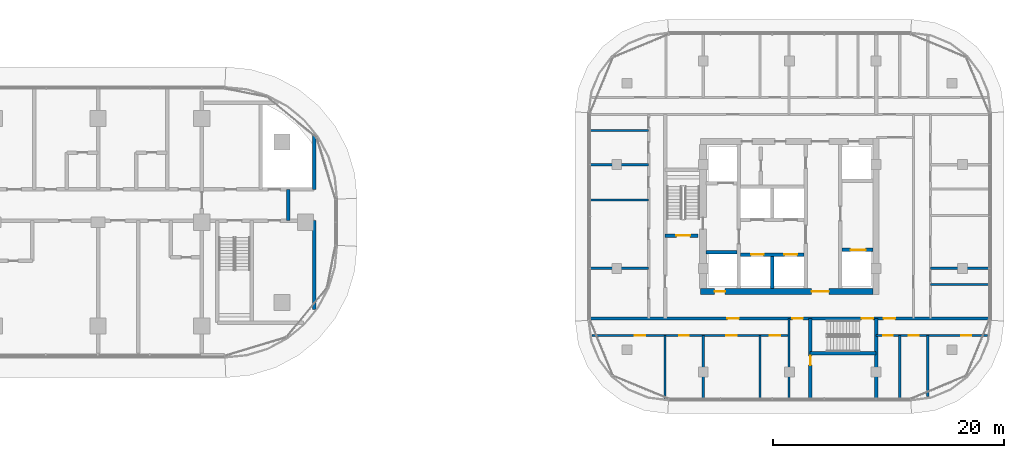
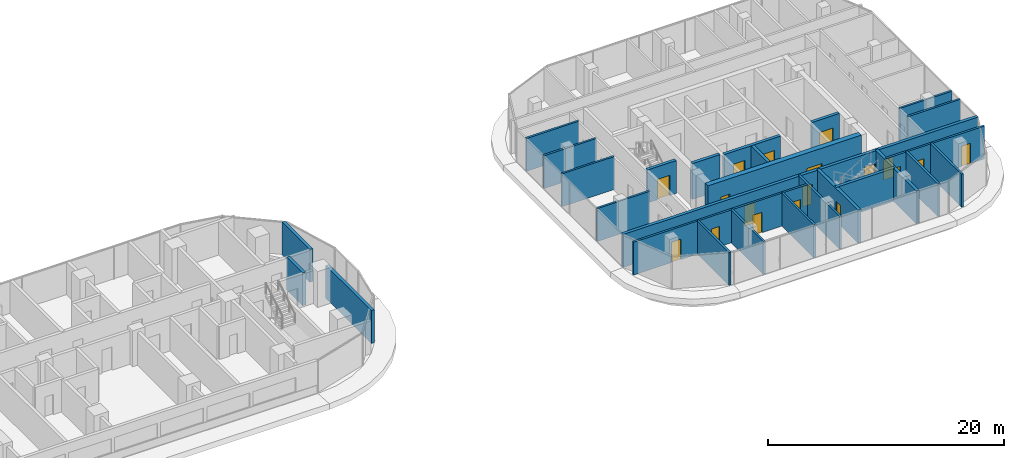
# One storey, part 22 of 36: 27 walls, 18 doors, 18 openings.
"""IFC4 building model written with IfcOpenShell, lengths in metres."""

from ifc_helpers import new_model, si_unit, direction, frame, frame_2d, origin, place, context, subcontext, project, spatial, rectangle, extrude, material, layer, layer_set, type_object, element, fill, save


model = new_model("IFC4")

# Units and contexts
model_context = context("Model", 3, precision=1e-05, world=origin(), true_north=direction((0.0, 1.0)))
body_context = subcontext(model_context, "Body", "Model", "MODEL_VIEW")
ifc_project = project(units=[si_unit("LENGTHUNIT", "METRE"), si_unit("AREAUNIT", "SQUARE_METRE"), si_unit("VOLUMEUNIT", "CUBIC_METRE"), si_unit("PLANEANGLEUNIT", "RADIAN"), si_unit("MASSUNIT", "GRAM", prefix="KILO")], contexts=[model_context])

# Site, building, storey
site_placement = place(None, origin())
site = spatial("IfcSite", under=ifc_project, at=site_placement, CompositionType="ELEMENT")
building_placement = place(site_placement, origin())
building = spatial("IfcBuilding", under=site, at=building_placement, Name="Ogive Portal Towers", CompositionType="ELEMENT")
storey_placement = place(building_placement, frame((0.0, 0.0, 63.10009765625)))
storey = spatial("IfcBuildingStorey", under=building, at=storey_placement, Name="L14", CompositionType="ELEMENT", Elevation=63.10009765625)

# Wall
ifc_material_1 = material(Name="Concrete C60/75", Category="concrete")
ifc_layer_1 = layer(ifc_material_1, 0.300048828125)
ifc_layer_set_1 = layer_set([ifc_layer_1], Name="CORE WALL 300 C60")
wall_type_1 = type_object("IfcWallType", Name="CORE WALL 300 C60", PredefinedType="SHEAR", material=ifc_layer_set_1)
wall_1_placement = place(storey_placement, frame((135.0, 24.75, 0.0), z_axis=(0.0, 0.0, 1.0), x_axis=(0.0, 1.0, 0.0)))
element("IfcWall", 1, at=wall_1_placement, inside=storey, type_object=wall_type_1, Name="Tower B core wall BX4 L14", PredefinedType="SHEAR", context=body_context, shape_type="SweptSolid", body=[
    extrude(rectangle(XDim=2.800048828125, YDim=0.300048828125, at=frame_2d((1.39990234375, 0.0))), origin(), (0.0, 0.0, 1.0), 3.699951171875),
])

# Wall, openings, doors
wall_2_placement = place(storey_placement, frame((132.25, 27.699951171875, 0.0), z_axis=(0.0, 0.0, 1.0), x_axis=(1.0, 0.0, 0.0)))
wall_2 = element("IfcWall", 2, at=wall_2_placement, inside=storey, type_object=wall_type_1, Name="Tower B core wall BY1 L14", PredefinedType="SHEAR", context=body_context, shape_type="SweptSolid", body=[
    extrude(rectangle(XDim=5.5, YDim=0.300048828125, at=frame_2d((2.75, 0.0))), origin(), (0.0, 0.0, 1.0), 3.699951171875),
])
opening_1_placement = place(wall_2_placement, frame((0.89990234375, 0.0, 0.0)))
opening_1 = element("IfcOpeningElement", 3, at=opening_1_placement, cuts=wall_2, Name="Opening B04-050", PredefinedType="OPENING", context=body_context, shape_type="SweptSolid", body=[
    extrude(rectangle(XDim=1.10009765625, YDim=2.39990234375, at=frame_2d((0.550048828125, 1.199951171875))), frame((0.0, 0.16015625, 0.0), z_axis=(0.0, -1.0, 0.0), x_axis=(1.0, 0.0, 0.0)), (0.0, 0.0, 1.0), 0.320068359375),
])
opening_2_placement = place(wall_2_placement, frame((3.800048828125, 0.0, 0.0)))
opening_2 = element("IfcOpeningElement", 4, at=opening_2_placement, cuts=wall_2, Name="Opening B04-051", PredefinedType="OPENING", context=body_context, shape_type="SweptSolid", body=[
    extrude(rectangle(XDim=1.10009765625, YDim=2.39990234375, at=frame_2d((0.550048828125, 1.199951171875))), frame((0.0, 0.16015625, 0.0), z_axis=(0.0, -1.0, 0.0), x_axis=(1.0, 0.0, 0.0)), (0.0, 0.0, 1.0), 0.320068359375),
])
ifc_material_2 = material(Name="Stainless steel", Category="steel")
door_type_1 = type_object("IfcDoorType", Name="DT-LD-1100x2400", OperationType="SLIDING_TO_LEFT", PredefinedType="DOOR", material=ifc_material_2)
door_1_placement = place(opening_1_placement, origin())
door_1 = element("IfcDoor", 5, at=door_1_placement, inside=storey, type_object=door_type_1, Name="Door B04-050", OperationType="SLIDING_TO_LEFT", OverallHeight=2.39990234375, OverallWidth=1.10009765625, PredefinedType="DOOR", context=body_context, shape_type="SweptSolid", body=[
    extrude(rectangle(XDim=1.10009765625, YDim=2.39990234375, at=frame_2d((0.550048828125, 1.199951171875))), frame((0.0, 0.02490234375, 0.0), z_axis=(0.0, -1.0, 0.0), x_axis=(1.0, 0.0, 0.0)), (0.0, 0.0, 1.0), 0.050048828125),
])
fill(opening_1, door_1)
door_2_placement = place(opening_2_placement, origin())
door_2 = element("IfcDoor", 6, at=door_2_placement, inside=storey, type_object=door_type_1, Name="Door B04-051", OperationType="SLIDING_TO_LEFT", OverallHeight=2.39990234375, OverallWidth=1.10009765625, PredefinedType="DOOR", context=body_context, shape_type="SweptSolid", body=[
    extrude(rectangle(XDim=1.10009765625, YDim=2.39990234375, at=frame_2d((0.550048828125, 1.199951171875))), frame((0.0, 0.02490234375, 0.0), z_axis=(0.0, -1.0, 0.0), x_axis=(1.0, 0.0, 0.0)), (0.0, 0.0, 1.0), 0.050048828125),
])
fill(opening_2, door_2)

# Wall
wall_3_placement = place(storey_placement, frame((129.25, 27.89990234375, 0.0), z_axis=(0.0, 0.0, 1.0), x_axis=(1.0, 0.0, 0.0)))
element("IfcWall", 7, at=wall_3_placement, inside=storey, type_object=wall_type_1, Name="Tower B core wall BY4 L14", PredefinedType="SHEAR", context=body_context, shape_type="SweptSolid", body=[
    extrude(rectangle(XDim=2.699951171875, YDim=0.300048828125, at=frame_2d((1.35009765625, 0.0))), origin(), (0.0, 0.0, 1.0), 3.699951171875),
])

# Wall, opening, door
wall_4_placement = place(storey_placement, frame((141.050048828125, 28.10009765625, 0.0), z_axis=(0.0, 0.0, 1.0), x_axis=(1.0, 0.0, 0.0)))
wall_4 = element("IfcWall", 8, at=wall_4_placement, inside=storey, type_object=wall_type_1, Name="Tower B core wall BY6 L14", PredefinedType="SHEAR", context=body_context, shape_type="SweptSolid", body=[
    extrude(rectangle(XDim=2.699951171875, YDim=0.300048828125, at=frame_2d((1.35009765625, 0.0))), origin(), (0.0, 0.0, 1.0), 3.699951171875),
])
opening_3_placement = place(wall_4_placement, frame((0.75, 0.0, 0.0)))
opening_3 = element("IfcOpeningElement", 9, at=opening_3_placement, cuts=wall_4, Name="Opening B04-055", PredefinedType="OPENING", context=body_context, shape_type="SweptSolid", body=[
    extrude(rectangle(XDim=1.300048828125, YDim=2.39990234375, at=frame_2d((0.64990234375, 1.199951171875))), frame((0.0, 0.16015625, 0.0), z_axis=(0.0, -1.0, 0.0), x_axis=(1.0, 0.0, 0.0)), (0.0, 0.0, 1.0), 0.320068359375),
])
door_type_2 = type_object("IfcDoorType", Name="DT-LD-1300x2400", OperationType="SLIDING_TO_LEFT", PredefinedType="DOOR", material=ifc_material_2)
door_3_placement = place(opening_3_placement, origin())
door_3 = element("IfcDoor", 10, at=door_3_placement, inside=storey, type_object=door_type_2, Name="Door B04-055", OperationType="SLIDING_TO_LEFT", OverallHeight=2.39990234375, OverallWidth=1.300048828125, PredefinedType="DOOR", context=body_context, shape_type="SweptSolid", body=[
    extrude(rectangle(XDim=1.300048828125, YDim=2.39990234375, at=frame_2d((0.64990234375, 1.199951171875))), frame((0.0, 0.02490234375, 0.0), z_axis=(0.0, -1.0, 0.0), x_axis=(1.0, 0.0, 0.0)), (0.0, 0.0, 1.0), 0.050048828125),
])
fill(opening_3, door_3)

# Wall, openings, doors
ifc_layer_2 = layer(ifc_material_1, 0.5)
ifc_layer_set_2 = layer_set([ifc_layer_2], Name="CORE WALL 500 C60")
wall_type_2 = type_object("IfcWallType", Name="CORE WALL 500 C60", PredefinedType="SHEAR", material=ifc_layer_set_2)
wall_5_placement = place(storey_placement, frame((128.75, 24.5, 0.0), z_axis=(0.0, 0.0, 1.0), x_axis=(1.0, 0.0, 0.0)))
wall_5 = element("IfcWall", 11, at=wall_5_placement, inside=storey, type_object=wall_type_2, Name="Tower B core wall BS L14", PredefinedType="SHEAR", context=body_context, shape_type="SweptSolid", body=[
    extrude(rectangle(XDim=15.0, YDim=0.5, at=frame_2d((7.5, 0.0))), origin(), (0.0, 0.0, 1.0), 3.699951171875),
])
opening_4_placement = place(wall_5_placement, frame((9.64990234375, 0.0, 0.0)))
opening_4 = element("IfcOpeningElement", 12, at=opening_4_placement, cuts=wall_5, Name="Opening B04-046", PredefinedType="OPENING", context=body_context, shape_type="SweptSolid", body=[
    extrude(rectangle(XDim=1.5, YDim=2.10009765625, at=frame_2d((0.75, 1.050048828125))), frame((0.0, 0.260009765625, 0.0), z_axis=(0.0, -1.0, 0.0), x_axis=(1.0, 0.0, 0.0)), (0.0, 0.0, 1.0), 0.52001953125),
])
opening_5_placement = place(wall_5_placement, frame((1.25, 0.0, 0.0)))
opening_5 = element("IfcOpeningElement", 13, at=opening_5_placement, cuts=wall_5, Name="Opening B04-048", PredefinedType="OPENING", context=body_context, shape_type="SweptSolid", body=[
    extrude(rectangle(XDim=0.89990234375, YDim=2.10009765625, at=frame_2d((0.449951171875, 1.050048828125))), frame((0.0, 0.260009765625, 0.0), z_axis=(0.0, -1.0, 0.0), x_axis=(1.0, 0.0, 0.0)), (0.0, 0.0, 1.0), 0.52001953125),
])
ifc_material_3 = material(Name="Steel fire door", Category="steel")
door_type_3 = type_object("IfcDoorType", Name="DT-SWING-1500x2100-FD90S", OperationType="SINGLE_SWING_LEFT", PredefinedType="DOOR", material=ifc_material_3)
door_4_placement = place(opening_4_placement, origin())
door_4 = element("IfcDoor", 14, at=door_4_placement, inside=storey, type_object=door_type_3, Name="Door B04-046", OperationType="SINGLE_SWING_LEFT", OverallHeight=2.10009765625, OverallWidth=1.5, PredefinedType="DOOR", context=body_context, shape_type="SweptSolid", body=[
    extrude(rectangle(XDim=1.5, YDim=2.10009765625, at=frame_2d((0.75, 1.050048828125))), frame((0.0, 0.02490234375, 0.0), z_axis=(0.0, -1.0, 0.0), x_axis=(1.0, 0.0, 0.0)), (0.0, 0.0, 1.0), 0.050048828125),
])
fill(opening_4, door_4)
door_type_4 = type_object("IfcDoorType", Name="DT-SWING-900x2100-FD90S", OperationType="SINGLE_SWING_LEFT", PredefinedType="DOOR", material=ifc_material_3)
door_5_placement = place(opening_5_placement, origin())
door_5 = element("IfcDoor", 15, at=door_5_placement, inside=storey, type_object=door_type_4, Name="Riser access door B04-048", OperationType="SINGLE_SWING_LEFT", OverallHeight=2.10009765625, OverallWidth=0.89990234375, PredefinedType="DOOR", context=body_context, shape_type="SweptSolid", body=[
    extrude(rectangle(XDim=0.89990234375, YDim=2.10009765625, at=frame_2d((0.449951171875, 1.050048828125))), frame((0.0, 0.02490234375, 0.0), z_axis=(0.0, -1.0, 0.0), x_axis=(1.0, 0.0, 0.0)), (0.0, 0.0, 1.0), 0.050048828125),
])
fill(opening_5, door_5)

# Wall
ifc_material_4 = material(Name="Concrete C50/60", Category="concrete")
ifc_layer_3 = layer(ifc_material_4, 0.300048828125)
ifc_layer_set_3 = layer_set([ifc_layer_3], Name="STAIR WALL 300 C50")
wall_type_3 = type_object("IfcWallType", Name="STAIR WALL 300 C50", PredefinedType="SHEAR", material=ifc_layer_set_3)
wall_6_placement = place(storey_placement, frame((138.25, 19.14990234375, 0.0), z_axis=(0.0, 0.0, 1.0), x_axis=(1.0, 0.0, 0.0)))
element("IfcWall", 16, at=wall_6_placement, inside=storey, type_object=wall_type_3, Name="Stair wall ST-B2 L14", PredefinedType="SHEAR", context=body_context, shape_type="SweptSolid", body=[
    extrude(rectangle(XDim=5.75, YDim=0.300048828125, at=frame_2d((2.875, 0.0))), origin(), (0.0, 0.0, 1.0), 3.39990234375),
])

# Wall, openings, doors
wall_7_placement = place(storey_placement, frame((119.169921875, 22.14990234375, 0.0), z_axis=(0.0, 0.0, 1.0), x_axis=(1.0, 0.0, 0.0)))
wall_7 = element("IfcWall", 17, at=wall_7_placement, inside=storey, type_object=wall_type_3, Name="Stair wall ST-B2 L14", PredefinedType="SHEAR", context=body_context, shape_type="SweptSolid", body=[
    extrude(rectangle(XDim=34.66015625, YDim=0.300048828125, at=frame_2d((17.330078125, 0.0))), origin(), (0.0, 0.0, 1.0), 3.39990234375),
])
opening_6_placement = place(wall_7_placement, frame((23.580078125, 0.0, 0.0)))
opening_6 = element("IfcOpeningElement", 18, at=opening_6_placement, cuts=wall_7, Name="Opening B04-003", PredefinedType="OPENING", context=body_context, shape_type="SweptSolid", body=[
    extrude(rectangle(XDim=1.0, YDim=2.10009765625, at=frame_2d((0.5, 1.050048828125))), frame((0.0, 0.16015625, 0.0), z_axis=(0.0, -1.0, 0.0), x_axis=(1.0, 0.0, 0.0)), (0.0, 0.0, 1.0), 0.320068359375),
])
opening_7_placement = place(wall_7_placement, frame((11.929931640625, 0.0, 0.0)))
opening_7 = element("IfcOpeningElement", 19, at=opening_7_placement, cuts=wall_7, Name="Opening B04-018", PredefinedType="OPENING", context=body_context, shape_type="SweptSolid", body=[
    extrude(rectangle(XDim=1.0, YDim=2.10009765625, at=frame_2d((0.5, 1.050048828125))), frame((0.0, 0.16015625, 0.0), z_axis=(0.0, -1.0, 0.0), x_axis=(1.0, 0.0, 0.0)), (0.0, 0.0, 1.0), 0.320068359375),
])
opening_8_placement = place(wall_7_placement, frame((25.47998046875, 0.0, 0.0)))
opening_8 = element("IfcOpeningElement", 20, at=opening_8_placement, cuts=wall_7, Name="Opening B04-023", PredefinedType="OPENING", context=body_context, shape_type="SweptSolid", body=[
    extrude(rectangle(XDim=1.0, YDim=2.10009765625, at=frame_2d((0.5, 1.050048828125))), frame((0.0, 0.16015625, 0.0), z_axis=(0.0, -1.0, 0.0), x_axis=(1.0, 0.0, 0.0)), (0.0, 0.0, 1.0), 0.320068359375),
])
opening_9_placement = place(wall_7_placement, frame((17.580078125, 0.0, 0.0)))
opening_9 = element("IfcOpeningElement", 21, at=opening_9_placement, cuts=wall_7, Name="Opening B04-027", PredefinedType="OPENING", context=body_context, shape_type="SweptSolid", body=[
    extrude(rectangle(XDim=0.89990234375, YDim=2.10009765625, at=frame_2d((0.449951171875, 1.050048828125))), frame((0.0, 0.16015625, 0.0), z_axis=(0.0, -1.0, 0.0), x_axis=(1.0, 0.0, 0.0)), (0.0, 0.0, 1.0), 0.320068359375),
])
door_type_5 = type_object("IfcDoorType", Name="DT-SWING-1000x2100-FD90S", OperationType="SINGLE_SWING_LEFT", PredefinedType="DOOR", material=ifc_material_3)
door_6_placement = place(opening_6_placement, origin())
door_6 = element("IfcDoor", 22, at=door_6_placement, inside=storey, type_object=door_type_5, Name="Door B04-003", OperationType="SINGLE_SWING_LEFT", OverallHeight=2.10009765625, OverallWidth=1.0, PredefinedType="DOOR", context=body_context, shape_type="SweptSolid", body=[
    extrude(rectangle(XDim=1.0, YDim=2.10009765625, at=frame_2d((0.5, 1.050048828125))), frame((0.0, 0.02490234375, 0.0), z_axis=(0.0, -1.0, 0.0), x_axis=(1.0, 0.0, 0.0)), (0.0, 0.0, 1.0), 0.050048828125),
])
fill(opening_6, door_6)
door_7_placement = place(opening_7_placement, origin())
door_7 = element("IfcDoor", 23, at=door_7_placement, inside=storey, type_object=door_type_5, Name="Door B04-018", OperationType="SINGLE_SWING_RIGHT", OverallHeight=2.10009765625, OverallWidth=1.0, PredefinedType="DOOR", context=body_context, shape_type="SweptSolid", body=[
    extrude(rectangle(XDim=1.0, YDim=2.10009765625, at=frame_2d((0.5, 1.050048828125))), frame((0.0, 0.02490234375, 0.0), z_axis=(0.0, -1.0, 0.0), x_axis=(1.0, 0.0, 0.0)), (0.0, 0.0, 1.0), 0.050048828125),
])
fill(opening_7, door_7)
door_8_placement = place(opening_8_placement, origin())
door_8 = element("IfcDoor", 24, at=door_8_placement, inside=storey, type_object=door_type_5, Name="Door B04-023", OperationType="SINGLE_SWING_LEFT", OverallHeight=2.10009765625, OverallWidth=1.0, PredefinedType="DOOR", context=body_context, shape_type="SweptSolid", body=[
    extrude(rectangle(XDim=1.0, YDim=2.10009765625, at=frame_2d((0.5, 1.050048828125))), frame((0.0, 0.02490234375, 0.0), z_axis=(0.0, -1.0, 0.0), x_axis=(1.0, 0.0, 0.0)), (0.0, 0.0, 1.0), 0.050048828125),
])
fill(opening_8, door_8)
door_9_placement = place(opening_9_placement, origin())
door_9 = element("IfcDoor", 25, at=door_9_placement, inside=storey, type_object=door_type_4, Name="Door B04-027", OperationType="SINGLE_SWING_LEFT", OverallHeight=2.10009765625, OverallWidth=0.89990234375, PredefinedType="DOOR", context=body_context, shape_type="SweptSolid", body=[
    extrude(rectangle(XDim=0.89990234375, YDim=2.10009765625, at=frame_2d((0.449951171875, 1.050048828125))), frame((0.0, 0.02490234375, 0.0), z_axis=(0.0, -1.0, 0.0), x_axis=(1.0, 0.0, 0.0)), (0.0, 0.0, 1.0), 0.050048828125),
])
fill(opening_9, door_9)

# Wall, opening, door
wall_8_placement = place(storey_placement, frame((125.699951171875, 29.35009765625, 0.0), z_axis=(0.0, 0.0, 1.0), x_axis=(1.0, 0.0, 0.0)))
wall_8 = element("IfcWall", 26, at=wall_8_placement, inside=storey, type_object=wall_type_3, Name="Stair wall ST-B1 L14", PredefinedType="SHEAR", context=body_context, shape_type="SweptSolid", body=[
    extrude(rectangle(XDim=2.830078125, YDim=0.300048828125, at=frame_2d((1.4150390625, 0.0))), origin(), (0.0, 0.0, 1.0), 3.39990234375),
])
opening_10_placement = place(wall_8_placement, frame((0.97509765625, 0.0, 0.0)))
opening_10 = element("IfcOpeningElement", 27, at=opening_10_placement, cuts=wall_8, Name="Opening B04-002", PredefinedType="OPENING", context=body_context, shape_type="SweptSolid", body=[
    extrude(rectangle(XDim=1.199951171875, YDim=2.10009765625, at=frame_2d((0.60009765625, 1.050048828125))), frame((0.0, 0.16015625, 0.0), z_axis=(0.0, -1.0, 0.0), x_axis=(1.0, 0.0, 0.0)), (0.0, 0.0, 1.0), 0.320068359375),
])
door_type_6 = type_object("IfcDoorType", Name="DT-SWING-1200x2100-FD90S", OperationType="SINGLE_SWING_LEFT", PredefinedType="DOOR", material=ifc_material_3)
door_10_placement = place(opening_10_placement, origin())
door_10 = element("IfcDoor", 28, at=door_10_placement, inside=storey, type_object=door_type_6, Name="Door B04-002", OperationType="SINGLE_SWING_RIGHT", OverallHeight=2.10009765625, OverallWidth=1.199951171875, PredefinedType="DOOR", context=body_context, shape_type="SweptSolid", body=[
    extrude(rectangle(XDim=1.199951171875, YDim=2.10009765625, at=frame_2d((0.60009765625, 1.050048828125))), frame((0.0, 0.02490234375, 0.0), z_axis=(0.0, -1.0, 0.0), x_axis=(1.0, 0.0, 0.0)), (0.0, 0.0, 1.0), 0.050048828125),
])
fill(opening_10, door_10)

wall_9_placement = place(storey_placement, frame((138.300048828125, 15.169921875, 0.0), z_axis=(0.0, 0.0, 1.0), x_axis=(0.0, 1.0, 0.0)))
wall_9 = element("IfcWall", 29, at=wall_9_placement, inside=storey, type_object=wall_type_3, Name="Stair wall ST-B2 L14", PredefinedType="SHEAR", context=body_context, shape_type="SweptSolid", body=[
    extrude(rectangle(XDim=6.97998046875, YDim=0.300048828125, at=frame_2d((3.489990234375, 0.0))), origin(), (0.0, 0.0, 1.0), 3.39990234375),
])
opening_11_placement = place(wall_9_placement, frame((2.929931640625, 0.0, 0.0)))
opening_11 = element("IfcOpeningElement", 30, at=opening_11_placement, cuts=wall_9, Name="Opening B04-028", PredefinedType="OPENING", context=body_context, shape_type="SweptSolid", body=[
    extrude(rectangle(XDim=0.800048828125, YDim=2.10009765625, at=frame_2d((0.39990234375, 1.050048828125))), frame((0.0, 0.16015625, 0.0), z_axis=(0.0, -1.0, 0.0), x_axis=(1.0, 0.0, 0.0)), (0.0, 0.0, 1.0), 0.320068359375),
])
door_type_7 = type_object("IfcDoorType", Name="DT-SWING-800x2100-FD90S", OperationType="SINGLE_SWING_LEFT", PredefinedType="DOOR", material=ifc_material_3)
door_11_placement = place(opening_11_placement, origin())
door_11 = element("IfcDoor", 31, at=door_11_placement, inside=storey, type_object=door_type_7, Name="Door B04-028", OperationType="SINGLE_SWING_RIGHT", OverallHeight=2.10009765625, OverallWidth=0.800048828125, PredefinedType="DOOR", context=body_context, shape_type="SweptSolid", body=[
    extrude(rectangle(XDim=0.800048828125, YDim=2.10009765625, at=frame_2d((0.39990234375, 1.050048828125))), frame((0.0, 0.02490234375, 0.0), z_axis=(0.0, -1.0, 0.0), x_axis=(1.0, 0.0, 0.0)), (0.0, 0.0, 1.0), 0.050048828125),
])
fill(opening_11, door_11)

# Wall
wall_10_placement = place(storey_placement, frame((144.0, 15.169921875, 0.0), z_axis=(0.0, 0.0, 1.0), x_axis=(0.0, 1.0, 0.0)))
element("IfcWall", 32, at=wall_10_placement, inside=storey, type_object=wall_type_3, Name="Stair wall ST-B2 L14", PredefinedType="SHEAR", context=body_context, shape_type="SweptSolid", body=[
    extrude(rectangle(XDim=6.97998046875, YDim=0.300048828125, at=frame_2d((3.489990234375, 0.0))), origin(), (0.0, 0.0, 1.0), 3.39990234375),
])

# Wall, openings, doors
ifc_material_5 = material(Name="Gypsum board partition on steel studs", Category="steel")
ifc_layer_4 = layer(ifc_material_5, 0.199951171875)
ifc_layer_set_4 = layer_set([ifc_layer_4], Name="WT-PART-200-EI 60")
wall_type_4 = type_object("IfcWallType", Name="WT-PART-200-EI 60", PredefinedType="PARTITIONING", material=ifc_layer_set_4)
wall_11_placement = place(storey_placement, frame((119.345947265625, 20.669921875, 0.0), z_axis=(0.0, 0.0, 1.0), x_axis=(1.0, 0.0, 0.0)))
wall_11 = element("IfcWall", 33, at=wall_11_placement, inside=storey, type_object=wall_type_4, Name="Wall L14:w002", PredefinedType="PARTITIONING", context=body_context, shape_type="SweptSolid", body=[
    extrude(rectangle(XDim=17.154052734375, YDim=0.199951171875, at=frame_2d((8.5771484375, 0.0))), origin(), (0.0, 0.0, 1.0), 3.39990234375),
])
opening_12_placement = place(wall_11_placement, frame((3.717041015625, 0.0, 0.0)))
opening_12 = element("IfcOpeningElement", 34, at=opening_12_placement, cuts=wall_11, Name="Opening B04-019", PredefinedType="OPENING", context=body_context, shape_type="SweptSolid", body=[
    extrude(rectangle(XDim=0.89990234375, YDim=2.10009765625, at=frame_2d((0.449951171875, 1.050048828125))), frame((0.0, 0.10986328125, 0.0), z_axis=(0.0, -1.0, 0.0), x_axis=(1.0, 0.0, 0.0)), (0.0, 0.0, 1.0), 0.219970703125),
])
opening_13_placement = place(wall_11_placement, frame((7.596923828125, 0.0, 0.0)))
opening_13 = element("IfcOpeningElement", 35, at=opening_13_placement, cuts=wall_11, Name="Opening B04-020", PredefinedType="OPENING", context=body_context, shape_type="SweptSolid", body=[
    extrude(rectangle(XDim=0.800048828125, YDim=2.10009765625, at=frame_2d((0.39990234375, 1.050048828125))), frame((0.0, 0.10986328125, 0.0), z_axis=(0.0, -1.0, 0.0), x_axis=(1.0, 0.0, 0.0)), (0.0, 0.0, 1.0), 0.219970703125),
])
opening_14_placement = place(wall_11_placement, frame((11.6708984375, 0.0, 0.0)))
opening_14 = element("IfcOpeningElement", 36, at=opening_14_placement, cuts=wall_11, Name="Opening B04-021", PredefinedType="OPENING", context=body_context, shape_type="SweptSolid", body=[
    extrude(rectangle(XDim=0.89990234375, YDim=2.10009765625, at=frame_2d((0.449951171875, 1.050048828125))), frame((0.0, 0.10986328125, 0.0), z_axis=(0.0, -1.0, 0.0), x_axis=(1.0, 0.0, 0.0)), (0.0, 0.0, 1.0), 0.219970703125),
])
opening_15_placement = place(wall_11_placement, frame((15.4208984375, 0.0, 0.0)))
opening_15 = element("IfcOpeningElement", 37, at=opening_15_placement, cuts=wall_11, Name="Opening B04-022", PredefinedType="OPENING", context=body_context, shape_type="SweptSolid", body=[
    extrude(rectangle(XDim=0.89990234375, YDim=2.10009765625, at=frame_2d((0.449951171875, 1.050048828125))), frame((0.0, 0.10986328125, 0.0), z_axis=(0.0, -1.0, 0.0), x_axis=(1.0, 0.0, 0.0)), (0.0, 0.0, 1.0), 0.219970703125),
])
door_type_8 = type_object("IfcDoorType", Name="DT-SWING-800x2100-FD60S", OperationType="SINGLE_SWING_LEFT", PredefinedType="DOOR", material=ifc_material_3)
door_12_placement = place(opening_13_placement, origin())
door_12 = element("IfcDoor", 38, at=door_12_placement, inside=storey, type_object=door_type_8, Name="Door B04-020", OperationType="SINGLE_SWING_RIGHT", OverallHeight=2.10009765625, OverallWidth=0.800048828125, PredefinedType="DOOR", context=body_context, shape_type="SweptSolid", body=[
    extrude(rectangle(XDim=0.800048828125, YDim=2.10009765625, at=frame_2d((0.39990234375, 1.050048828125))), frame((0.0, 0.02490234375, 0.0), z_axis=(0.0, -1.0, 0.0), x_axis=(1.0, 0.0, 0.0)), (0.0, 0.0, 1.0), 0.050048828125),
])
fill(opening_13, door_12)
door_type_9 = type_object("IfcDoorType", Name="DT-SWING-900x2100-FD60S", OperationType="SINGLE_SWING_LEFT", PredefinedType="DOOR", material=ifc_material_3)
door_13_placement = place(opening_12_placement, origin())
door_13 = element("IfcDoor", 39, at=door_13_placement, inside=storey, type_object=door_type_9, Name="Door B04-019", OperationType="SINGLE_SWING_LEFT", OverallHeight=2.10009765625, OverallWidth=0.89990234375, PredefinedType="DOOR", context=body_context, shape_type="SweptSolid", body=[
    extrude(rectangle(XDim=0.89990234375, YDim=2.10009765625, at=frame_2d((0.449951171875, 1.050048828125))), frame((0.0, 0.02490234375, 0.0), z_axis=(0.0, -1.0, 0.0), x_axis=(1.0, 0.0, 0.0)), (0.0, 0.0, 1.0), 0.050048828125),
])
fill(opening_12, door_13)
door_14_placement = place(opening_14_placement, origin())
door_14 = element("IfcDoor", 40, at=door_14_placement, inside=storey, type_object=door_type_9, Name="Door B04-021", OperationType="SINGLE_SWING_LEFT", OverallHeight=2.10009765625, OverallWidth=0.89990234375, PredefinedType="DOOR", context=body_context, shape_type="SweptSolid", body=[
    extrude(rectangle(XDim=0.89990234375, YDim=2.10009765625, at=frame_2d((0.449951171875, 1.050048828125))), frame((0.0, 0.02490234375, 0.0), z_axis=(0.0, -1.0, 0.0), x_axis=(1.0, 0.0, 0.0)), (0.0, 0.0, 1.0), 0.050048828125),
])
fill(opening_14, door_14)
door_15_placement = place(opening_15_placement, origin())
door_15 = element("IfcDoor", 41, at=door_15_placement, inside=storey, type_object=door_type_9, Name="Door B04-022", OperationType="SINGLE_SWING_RIGHT", OverallHeight=2.10009765625, OverallWidth=0.89990234375, PredefinedType="DOOR", context=body_context, shape_type="SweptSolid", body=[
    extrude(rectangle(XDim=0.89990234375, YDim=2.10009765625, at=frame_2d((0.449951171875, 1.050048828125))), frame((0.0, 0.02490234375, 0.0), z_axis=(0.0, -1.0, 0.0), x_axis=(1.0, 0.0, 0.0)), (0.0, 0.0, 1.0), 0.050048828125),
])
fill(opening_15, door_15)

wall_12_placement = place(storey_placement, frame((144.0, 20.669921875, 0.0), z_axis=(0.0, 0.0, 1.0), x_axis=(1.0, 0.0, 0.0)))
wall_12 = element("IfcWall", 42, at=wall_12_placement, inside=storey, type_object=wall_type_4, Name="Wall L14:w003", PredefinedType="PARTITIONING", context=body_context, shape_type="SweptSolid", body=[
    extrude(rectangle(XDim=9.654052734375, YDim=0.199951171875, at=frame_2d((4.8271484375, 0.0))), origin(), (0.0, 0.0, 1.0), 3.39990234375),
])
opening_16_placement = place(wall_12_placement, frame((0.6279296875, 0.0, 0.0)))
opening_16 = element("IfcOpeningElement", 43, at=opening_16_placement, cuts=wall_12, Name="Opening B04-024", PredefinedType="OPENING", context=body_context, shape_type="SweptSolid", body=[
    extrude(rectangle(XDim=0.800048828125, YDim=2.10009765625, at=frame_2d((0.39990234375, 1.050048828125))), frame((0.0, 0.10986328125, 0.0), z_axis=(0.0, -1.0, 0.0), x_axis=(1.0, 0.0, 0.0)), (0.0, 0.0, 1.0), 0.219970703125),
])
opening_17_placement = place(wall_12_placement, frame((2.818115234375, 0.0, 0.0)))
opening_17 = element("IfcOpeningElement", 44, at=opening_17_placement, cuts=wall_12, Name="Opening B04-025", PredefinedType="OPENING", context=body_context, shape_type="SweptSolid", body=[
    extrude(rectangle(XDim=0.89990234375, YDim=2.10009765625, at=frame_2d((0.449951171875, 1.050048828125))), frame((0.0, 0.10986328125, 0.0), z_axis=(0.0, -1.0, 0.0), x_axis=(1.0, 0.0, 0.0)), (0.0, 0.0, 1.0), 0.219970703125),
])
opening_18_placement = place(wall_12_placement, frame((7.37109375, 0.0, 0.0)))
opening_18 = element("IfcOpeningElement", 45, at=opening_18_placement, cuts=wall_12, Name="Opening B04-026", PredefinedType="OPENING", context=body_context, shape_type="SweptSolid", body=[
    extrude(rectangle(XDim=0.89990234375, YDim=2.10009765625, at=frame_2d((0.449951171875, 1.050048828125))), frame((0.0, 0.10986328125, 0.0), z_axis=(0.0, -1.0, 0.0), x_axis=(1.0, 0.0, 0.0)), (0.0, 0.0, 1.0), 0.219970703125),
])
door_16_placement = place(opening_16_placement, origin())
door_16 = element("IfcDoor", 46, at=door_16_placement, inside=storey, type_object=door_type_8, Name="Door B04-024", OperationType="SINGLE_SWING_RIGHT", OverallHeight=2.10009765625, OverallWidth=0.800048828125, PredefinedType="DOOR", context=body_context, shape_type="SweptSolid", body=[
    extrude(rectangle(XDim=0.800048828125, YDim=2.10009765625, at=frame_2d((0.39990234375, 1.050048828125))), frame((0.0, 0.02490234375, 0.0), z_axis=(0.0, -1.0, 0.0), x_axis=(1.0, 0.0, 0.0)), (0.0, 0.0, 1.0), 0.050048828125),
])
fill(opening_16, door_16)
door_17_placement = place(opening_17_placement, origin())
door_17 = element("IfcDoor", 47, at=door_17_placement, inside=storey, type_object=door_type_9, Name="Door B04-025", OperationType="SINGLE_SWING_LEFT", OverallHeight=2.10009765625, OverallWidth=0.89990234375, PredefinedType="DOOR", context=body_context, shape_type="SweptSolid", body=[
    extrude(rectangle(XDim=0.89990234375, YDim=2.10009765625, at=frame_2d((0.449951171875, 1.050048828125))), frame((0.0, 0.02490234375, 0.0), z_axis=(0.0, -1.0, 0.0), x_axis=(1.0, 0.0, 0.0)), (0.0, 0.0, 1.0), 0.050048828125),
])
fill(opening_17, door_17)
door_18_placement = place(opening_18_placement, origin())
door_18 = element("IfcDoor", 48, at=door_18_placement, inside=storey, type_object=door_type_9, Name="Door B04-026", OperationType="SINGLE_SWING_RIGHT", OverallHeight=2.10009765625, OverallWidth=0.89990234375, PredefinedType="DOOR", context=body_context, shape_type="SweptSolid", body=[
    extrude(rectangle(XDim=0.89990234375, YDim=2.10009765625, at=frame_2d((0.449951171875, 1.050048828125))), frame((0.0, 0.02490234375, 0.0), z_axis=(0.0, -1.0, 0.0), x_axis=(1.0, 0.0, 0.0)), (0.0, 0.0, 1.0), 0.050048828125),
])
fill(opening_18, door_18)

# Walls
for number, where, z_axis, x_axis, name in (
    (49, (148.72998046875, 25.10595703125, 0.0), (0.0, 0.0, 1.0), (1.0, 0.0, 0.0), "Wall L14:w007"),
    (50, (119.169921875, 26.5, 0.0), (0.0, 0.0, 1.0), (1.0, 0.0, 0.0), "Wall L14:w008"),
    (51, (148.72998046875, 26.5, 0.0), (0.0, 0.0, 1.0), (1.0, 0.0, 0.0), "Wall L14:w009"),
    (52, (119.169921875, 32.43310546875, 0.0), (0.0, 0.0, 1.0), (1.0, 0.0, 0.0), "Wall L14:w012"),
    (53, (119.169921875, 35.5, 0.0), (0.0, 0.0, 1.0), (1.0, 0.0, 0.0), "Wall L14:w015"),
    (54, (119.169921875, 38.4560546875, 0.0), (0.0, 0.0, 1.0), (1.0, 0.0, 0.0), "Wall L14:w019"),
):
    element("IfcWall", number, at=place(storey_placement, frame(where, z_axis=z_axis, x_axis=x_axis)), inside=storey, type_object=wall_type_4, Name=name, PredefinedType="PARTITIONING", context=body_context, shape_type="SweptSolid", body=[
        extrude(rectangle(XDim=5.10009765625, YDim=0.199951171875, at=frame_2d((2.550048828125, 0.0))), origin(), (0.0, 0.0, 1.0), 3.39990234375),
    ])
wall_13_placement = place(storey_placement, frame((125.68603515625, 15.2119140625, 0.0), z_axis=(0.0, 0.0, 1.0), x_axis=(0.0, 1.0, 0.0)))
element("IfcWall", 55, at=wall_13_placement, inside=storey, type_object=wall_type_4, Name="Wall L14:w023", PredefinedType="PARTITIONING", context=body_context, shape_type="SweptSolid", body=[
    extrude(rectangle(XDim=5.4580078125, YDim=0.199951171875, at=frame_2d((2.72900390625, 0.0))), origin(), (0.0, 0.0, 1.0), 3.39990234375),
])
for number, where, z_axis, x_axis, name in (
    (56, (129.0, 15.169921875, 0.0), (0.0, 0.0, 1.0), (0.0, 1.0, 0.0), "Wall L14:w028"),
    (57, (133.93310546875, 15.169921875, 0.0), (0.0, 0.0, 1.0), (0.0, 1.0, 0.0), "Wall L14:w030"),
):
    element("IfcWall", number, at=place(storey_placement, frame(where, z_axis=z_axis, x_axis=x_axis)), inside=storey, type_object=wall_type_4, Name=name, PredefinedType="PARTITIONING", context=body_context, shape_type="SweptSolid", body=[
        extrude(rectangle(XDim=5.5, YDim=0.199951171875, at=frame_2d((2.75, 0.0))), origin(), (0.0, 0.0, 1.0), 3.39990234375),
    ])
wall_14_placement = place(storey_placement, frame((136.449951171875, 15.169921875, 0.0), z_axis=(0.0, 0.0, 1.0), x_axis=(0.0, 1.0, 0.0)))
element("IfcWall", 58, at=wall_14_placement, inside=storey, type_object=wall_type_4, Name="Wall L14:w033", PredefinedType="PARTITIONING", context=body_context, shape_type="SweptSolid", body=[
    extrude(rectangle(XDim=6.97998046875, YDim=0.199951171875, at=frame_2d((3.489990234375, 0.0))), origin(), (0.0, 0.0, 1.0), 3.39990234375),
])
wall_15_placement = place(storey_placement, frame((146.054931640625, 15.169921875, 0.0), z_axis=(0.0, 0.0, 1.0), x_axis=(0.0, 1.0, 0.0)))
element("IfcWall", 59, at=wall_15_placement, inside=storey, type_object=wall_type_4, Name="Wall L14:w042", PredefinedType="PARTITIONING", context=body_context, shape_type="SweptSolid", body=[
    extrude(rectangle(XDim=5.5, YDim=0.199951171875, at=frame_2d((2.75, 0.0))), origin(), (0.0, 0.0, 1.0), 3.39990234375),
])
wall_16_placement = place(storey_placement, frame((148.48193359375, 15.365966796875, 0.0), z_axis=(0.0, 0.0, 1.0), x_axis=(0.0, 1.0, 0.0)))
element("IfcWall", 60, at=wall_16_placement, inside=storey, type_object=wall_type_4, Name="Wall L14:w045", PredefinedType="PARTITIONING", context=body_context, shape_type="SweptSolid", body=[
    extrude(rectangle(XDim=5.303955078125, YDim=0.199951171875, at=frame_2d((2.65185546875, 0.0))), origin(), (0.0, 0.0, 1.0), 3.39990234375),
])
ifc_layer_5 = layer(ifc_material_5, 0.300048828125)
ifc_layer_set_5 = layer_set([ifc_layer_5], Name="WT-PART-300-EI 120")
wall_type_5 = type_object("IfcWallType", Name="WT-PART-300-EI 120", PredefinedType="PARTITIONING", material=ifc_layer_set_5)
wall_17_placement = place(storey_placement, frame((93.0, 30.64990234375, 0.0), z_axis=(0.0, 0.0, 1.0), x_axis=(0.0, 1.0, 0.0)))
element("IfcWall", 61, at=wall_17_placement, inside=storey, type_object=wall_type_5, Name="Wall L14:w065", PredefinedType="PARTITIONING", context=body_context, shape_type="SweptSolid", body=[
    extrude(rectangle(XDim=2.7001953125, YDim=0.300048828125, at=frame_2d((1.35009765625, 0.0))), origin(), (0.0, 0.0, 1.0), 3.39990234375),
])
ifc_layer_6 = layer(ifc_material_5, 0.300048828125)
ifc_layer_set_6 = layer_set([ifc_layer_6], Name="WT-PART-300-EI 60")
wall_type_6 = type_object("IfcWallType", Name="WT-PART-300-EI 60", PredefinedType="PARTITIONING", material=ifc_layer_set_6)
wall_18_placement = place(storey_placement, frame((95.25, 22.926025390625, 0.0), z_axis=(0.0, 0.0, 1.0), x_axis=(0.0, 1.0, 0.0)))
element("IfcWall", 62, at=wall_18_placement, inside=storey, type_object=wall_type_6, Name="Wall L14:w066", PredefinedType="PARTITIONING", context=body_context, shape_type="SweptSolid", body=[
    extrude(rectangle(XDim=7.723876953125, YDim=0.300048828125, at=frame_2d((3.86181640625, 0.0))), origin(), (0.0, 0.0, 1.0), 3.39990234375),
])
wall_19_placement = place(storey_placement, frame((95.25, 33.35009765625, 0.0), z_axis=(0.0, 0.0, 1.0), x_axis=(0.0, 1.0, 0.0)))
element("IfcWall", 63, at=wall_19_placement, inside=storey, type_object=wall_type_6, Name="Wall L14:w067", PredefinedType="PARTITIONING", context=body_context, shape_type="SweptSolid", body=[
    extrude(rectangle(XDim=4.723876953125, YDim=0.300048828125, at=frame_2d((2.36181640625, 0.0))), origin(), (0.0, 0.0, 1.0), 3.39990234375),
])

save(model, "model.ifc")
